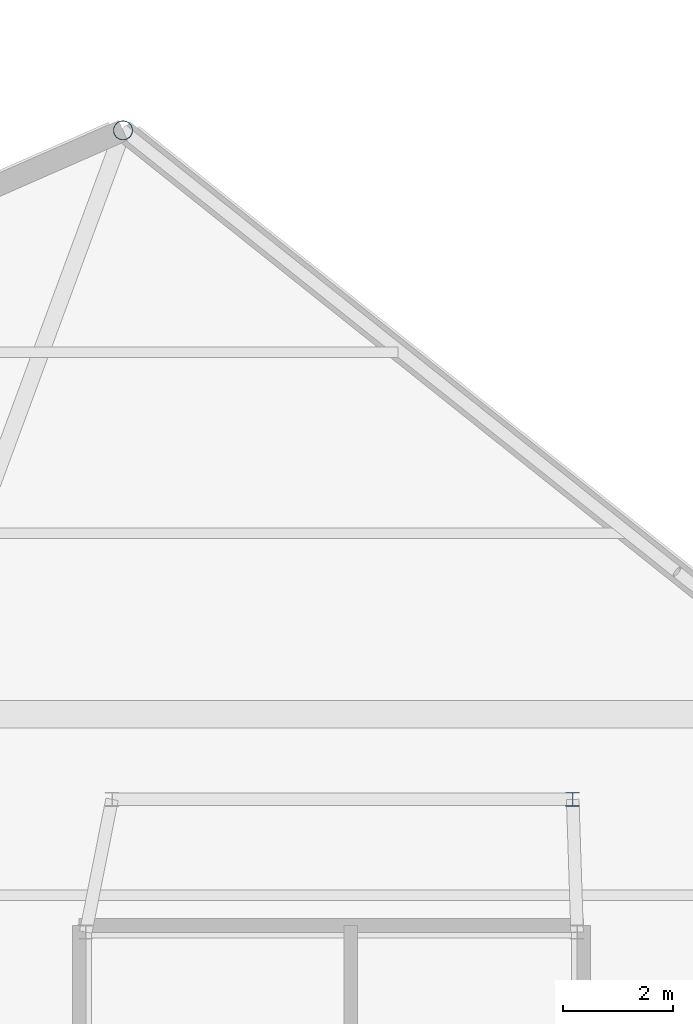
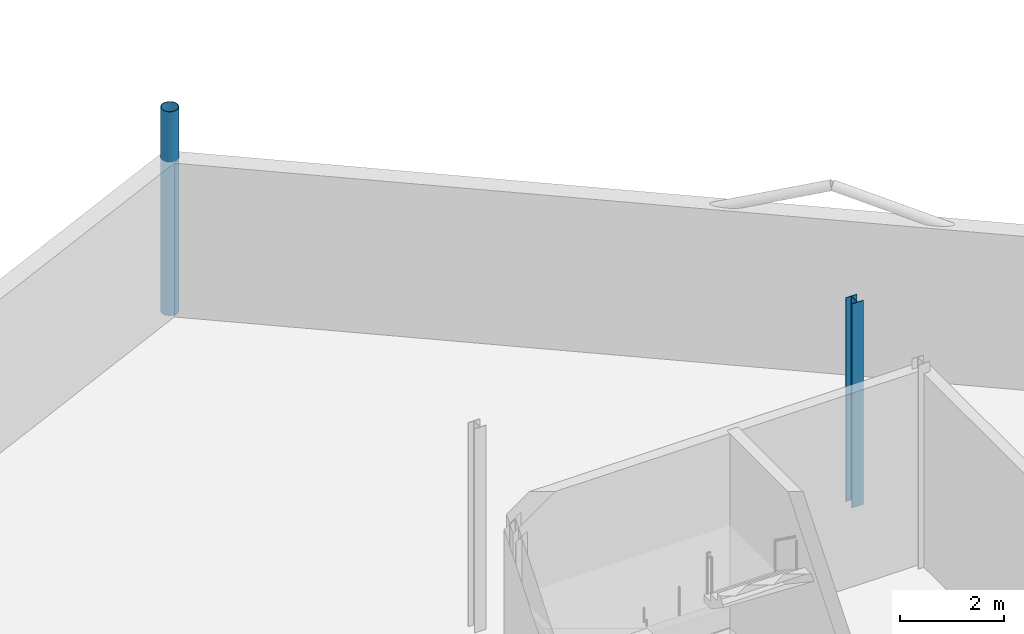
# One storey, part 13 of 114: 2 columns.
"""IFC4 building model written with IfcOpenShell, lengths in metres."""

import ifcopenshell
import ifcopenshell.guid

model = None  # the IFC model being written
_history = None  # IfcOwnerHistory: only IFC2X3 demands one
_inside = {}  # id of a spatial element -> (the spatial element, [elements in it])
_under = {}  # id of a project, library or spatial element -> (it, [spatial elements below it])
_declared = {}  # id of a project -> (the project, [libraries it declares])
_typed = {}  # id of a type object -> (the type object, [elements of that type])
_made_of = {}  # id of a material, layer set ... -> (it, [elements and type objects made of it])


def new_model(schema):
    """Start an empty IFC model of exactly this schema.

    Asked for "IFC4X3", IfcOpenShell would pick the latest addendum, in which some entities
    have other attributes; the version numbers below select the first issue.
    IFC2X3 requires an IfcOwnerHistory on every rooted entity: one is made here for all.
    """
    global model, _history
    if schema == "IFC4X3":
        model = ifcopenshell.file(schema_version=(4, 3, 0, 0))
    else:
        model = ifcopenshell.file(schema=schema)
    _inside.clear()
    _under.clear()
    _declared.clear()
    _typed.clear()
    _made_of.clear()
    _history = None
    if model.schema == "IFC2X3":
        org = make("IfcOrganization", Name="unknown")
        user = make(
            "IfcPersonAndOrganization",
            ThePerson=make("IfcPerson", FamilyName="unknown"),
            TheOrganization=org,
        )
        app = make(
            "IfcApplication",
            ApplicationDeveloper=org,
            Version="unknown",
            ApplicationFullName="unknown",
            ApplicationIdentifier="unknown",
        )
        _history = make(
            "IfcOwnerHistory",
            OwningUser=user,
            OwningApplication=app,
            ChangeAction="ADDED",
            CreationDate=0,
        )
    return model


def make(cls, **values):
    """One entity of the class cls with the attributes given. An attribute that is None is left unset."""
    return model.create_entity(
        cls, **{name: value for name, value in values.items() if value is not None}
    )


def rooted(cls, **values):
    """An entity with a GlobalId (a new one), such as an element, a storey or a relation."""
    return make(cls, GlobalId=ifcopenshell.guid.new(), OwnerHistory=_history, **values)


def si_unit(unit_type, name, prefix=None):
    """IfcSIUnit, for example si_unit("LENGTHUNIT", "METRE", prefix="MILLI")."""
    return make("IfcSIUnit", UnitType=unit_type, Prefix=prefix, Name=name)


def assignment(units):
    """IfcUnitAssignment: the units of a project."""
    return None if units is None else make("IfcUnitAssignment", Units=units)


def point(xyz):
    """IfcCartesianPoint."""
    return None if xyz is None else make("IfcCartesianPoint", Coordinates=xyz)


def direction(xyz):
    """IfcDirection."""
    return None if xyz is None else make("IfcDirection", DirectionRatios=xyz)


def frame(location, z_axis=None, x_axis=None):
    """IfcAxis2Placement3D, a coordinate frame: its origin and axes. An axis left out is left unset."""
    return make(
        "IfcAxis2Placement3D",
        Location=point(location),
        Axis=direction(z_axis),
        RefDirection=direction(x_axis),
    )


def frame_2d(location, x_axis=None):
    """IfcAxis2Placement2D, a coordinate frame in the plane: its origin and x axis."""
    return make(
        "IfcAxis2Placement2D", Location=point(location), RefDirection=direction(x_axis)
    )


def origin():
    """The frame at (0, 0, 0) with its axes left unset."""
    return frame((0.0, 0.0, 0.0))


def origin_2d():
    """The frame at (0, 0) in the plane with its x axis left unset."""
    return frame_2d((0.0, 0.0))


def place(relative_to, where):
    """IfcLocalPlacement: puts the frame where relative to a parent placement (None: the world)."""
    return make(
        "IfcLocalPlacement", PlacementRelTo=relative_to, RelativePlacement=where
    )


def context(
    kind, dimensions, precision=None, world=None, true_north=None, identifier=None
):
    """IfcGeometricRepresentationContext, for example the 3D "Model" context."""
    return make(
        "IfcGeometricRepresentationContext",
        ContextIdentifier=identifier,
        ContextType=kind,
        CoordinateSpaceDimension=dimensions,
        Precision=precision,
        WorldCoordinateSystem=world,
        TrueNorth=true_north,
    )


def subcontext(parent, identifier, kind, view, scale=None):
    """IfcGeometricRepresentationSubContext, for example "Body" below "Model"."""
    return make(
        "IfcGeometricRepresentationSubContext",
        ContextIdentifier=identifier,
        ContextType=kind,
        ParentContext=parent,
        TargetScale=scale,
        TargetView=view,
    )


def project(units=None, contexts=None):
    """IfcProject with its units and contexts."""
    return rooted(
        "IfcProject",
        Name="project",
        RepresentationContexts=contexts,
        UnitsInContext=assignment(units),
    )


def spatial(cls, under=None, at=None, **own):
    """A site, building, storey or space (cls), placed at a placement, below another one or the project."""
    s = rooted(cls, ObjectPlacement=at, **own)
    if under is not None:
        _under.setdefault(under.id(), (under, []))[1].append(s)
    return s


def profile(cls, at=None, kind="AREA", **sizes):
    """A parametric profile (cls). Its sizes go by their IFC names, for example OverallWidth=200.0."""
    return make(cls, ProfileType=kind, Position=at, **sizes)


def hollow_circle(**sizes):
    """IfcCircleHollowProfileDef."""
    return profile("IfcCircleHollowProfileDef", **sizes)


def i_section(**sizes):
    """IfcIShapeProfileDef."""
    return profile("IfcIShapeProfileDef", **sizes)


def extrude(swept, where, along, depth):
    """IfcExtrudedAreaSolid: the profile swept, set in the frame where, extruded along a direction by depth."""
    return make(
        "IfcExtrudedAreaSolid",
        SweptArea=swept,
        Position=where,
        ExtrudedDirection=direction(along),
        Depth=depth,
    )


def shape(context_of_items, identifier, shape_type, items):
    """IfcShapeRepresentation: the items that make up one representation, for example the "Body"."""
    return make(
        "IfcShapeRepresentation",
        ContextOfItems=context_of_items,
        RepresentationIdentifier=identifier,
        RepresentationType=shape_type,
        Items=items,
    )


def material(Name=None, Category=None):
    """IfcMaterial."""
    return make("IfcMaterial", Name=Name, Category=Category)


def material_profile(
    of_material, cross_section, Name=None, Category=None, Priority=None
):
    """IfcMaterialProfile: a cross section and its material."""
    return make(
        "IfcMaterialProfile",
        Name=Name,
        Material=of_material,
        Profile=cross_section,
        Priority=Priority,
        Category=Category,
    )


def profile_set(profiles, Name=None, composite=None):
    """IfcMaterialProfileSet."""
    return make(
        "IfcMaterialProfileSet",
        Name=Name,
        MaterialProfiles=profiles,
        CompositeProfile=composite,
    )


def made_of(thing, what):
    """Note that an element or type object is made of a material, layer set ...; save() writes the relation."""
    if what is not None:
        _made_of.setdefault(what.id(), (what, []))[1].append(thing)
    return thing


def type_object(cls, material=None, **own):
    """A type object (cls), such as IfcWallType, which elements share."""
    return made_of(rooted(cls, **own), material)


def element(
    cls,
    number,
    at=None,
    inside=None,
    cuts=None,
    type_object=None,
    material=None,
    context=None,
    identifier="Body",
    shape_type=None,
    held_by="IfcProductDefinitionShape",
    body=None,
    shapes=None,
    **own,
):
    """One element of the class cls, such as IfcWall. Its Tag is "e" and its number.

    at: its placement. inside: the storey or other place that contains it. cuts: it is an
    opening in that element (IfcRelVoidsElement). A single representation is given by context,
    identifier, shape_type and body (its items); several are given by shapes. held_by: the class
    of the entity that holds the representations. save() writes the other relations.
    """
    e = rooted(cls, Tag="e%d" % number, ObjectPlacement=at, **own)
    if body is not None:
        shapes = [shape(context, identifier, shape_type, body)]
    if shapes is not None:
        e.Representation = make(held_by, Representations=shapes)
    if inside is not None:
        _inside.setdefault(inside.id(), (inside, []))[1].append(e)
    if cuts is not None:
        rooted(
            "IfcRelVoidsElement", RelatingBuildingElement=cuts, RelatedOpeningElement=e
        )
    if type_object is not None:
        _typed.setdefault(type_object.id(), (type_object, []))[1].append(e)
    return made_of(e, material)


def aggregate(whole, parts):
    """IfcRelAggregates: a whole, such as a stair, and the parts it consists of."""
    return rooted("IfcRelAggregates", RelatingObject=whole, RelatedObjects=parts)


def save(model, path):
    """Write the relations noted so far, then the file.

    IfcRelAggregates (storeys below a building ...), IfcRelContainedInSpatialStructure (elements
    in a storey), IfcRelDefinesByType, IfcRelAssociatesMaterial and IfcRelDeclares: one each for
    every whole, place, type object, material and project.
    """
    for whole, parts in _under.values():
        aggregate(whole, parts)
    for where, things in _inside.values():
        rooted(
            "IfcRelContainedInSpatialStructure",
            RelatedElements=things,
            RelatingStructure=where,
        )
    for kind, things in _typed.values():
        rooted("IfcRelDefinesByType", RelatedObjects=things, RelatingType=kind)
    for what, things in _made_of.values():
        rooted("IfcRelAssociatesMaterial", RelatedObjects=things, RelatingMaterial=what)
    for by, libraries in _declared.values():
        rooted("IfcRelDeclares", RelatingContext=by, RelatedDefinitions=libraries)
    model.write(path)


model = new_model("IFC4")

# Units and contexts
model_context = context("Model", 3, precision=1e-05, world=origin(), true_north=direction((0.0, 1.0)))
body_context = subcontext(model_context, "Body", "Model", "MODEL_VIEW")
ifc_project = project(units=[si_unit("LENGTHUNIT", "METRE"), si_unit("AREAUNIT", "SQUARE_METRE"), si_unit("VOLUMEUNIT", "CUBIC_METRE"), si_unit("PLANEANGLEUNIT", "RADIAN"), si_unit("MASSUNIT", "GRAM", prefix="KILO")], contexts=[model_context])

# Site, building, storey
site_placement = place(None, origin())
site = spatial("IfcSite", under=ifc_project, at=site_placement, CompositionType="ELEMENT")
building_placement = place(site_placement, origin())
building = spatial("IfcBuilding", under=site, at=building_placement, Name="Tameran Prism Museum", CompositionType="ELEMENT")
storey_placement = place(building_placement, frame((0.0, 0.0, 10.199951171875)))
storey = spatial("IfcBuildingStorey", under=building, at=storey_placement, Name="L02", CompositionType="ELEMENT", Elevation=10.199951171875)

# Columns
ifc_material_1 = material(Name="Steel Grade C350L0 (350 MPa)", Category="steel")
ifc_material_profile_1 = material_profile(ifc_material_1, hollow_circle(Radius=0.177734375, WallThickness=0.0126953125, at=origin_2d()))
ifc_profile_set_1 = profile_set([ifc_material_profile_1])
column_type_1 = type_object("IfcColumnType", Name="COL-CHS355", PredefinedType="COLUMN", material=ifc_profile_set_1)
column_1_placement = place(storey_placement, frame((42.199951171875, 110.199951171875, 0.0), z_axis=(0.0, 0.0, 1.0), x_axis=(1.0, 0.0, 0.0)))
element("IfcColumn", 1, at=column_1_placement, inside=storey, type_object=column_type_1, Name="Column CV-22 L02", PredefinedType="COLUMN", context=body_context, shape_type="SweptSolid", body=[
    extrude(hollow_circle(Radius=0.177734375, WallThickness=0.0126953125, at=origin_2d()), origin(), (0.0, 0.0, 1.0), 4.800048828125),
])
ifc_material_2 = material(Name="Steel Grade 300PLUS (300 MPa)", Category="steel")
ifc_material_profile_2 = material_profile(ifc_material_2, i_section(OverallWidth=0.25390625, OverallDepth=0.25390625, WebThickness=0.008544921875, FlangeThickness=0.01416015625, FilletRadius=0.0126953125, at=origin_2d()))
ifc_profile_set_2 = profile_set([ifc_material_profile_2])
column_type_2 = type_object("IfcColumnType", Name="COL-UC250B", PredefinedType="COLUMN", material=ifc_profile_set_2)
column_2_placement = place(storey_placement, frame((50.39990234375, 98.0, 0.0), z_axis=(0.0, 0.0, 1.0), x_axis=(1.0, 0.0, 0.0)))
element("IfcColumn", 2, at=column_2_placement, inside=storey, type_object=column_type_2, Name="Column CI-04 L02", PredefinedType="COLUMN", context=body_context, shape_type="SweptSolid", body=[
    extrude(i_section(OverallWidth=0.25390625, OverallDepth=0.25390625, WebThickness=0.008544921875, FlangeThickness=0.01416015625, FilletRadius=0.0126953125, at=origin_2d()), origin(), (0.0, 0.0, 1.0), 4.800048828125),
])

save(model, "model.ifc")
